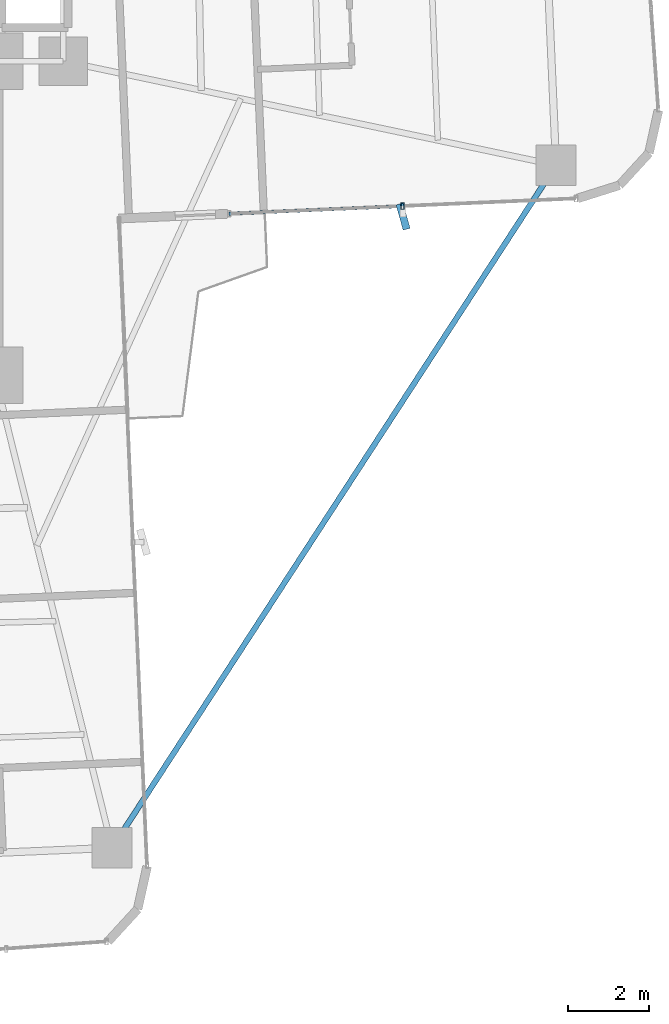
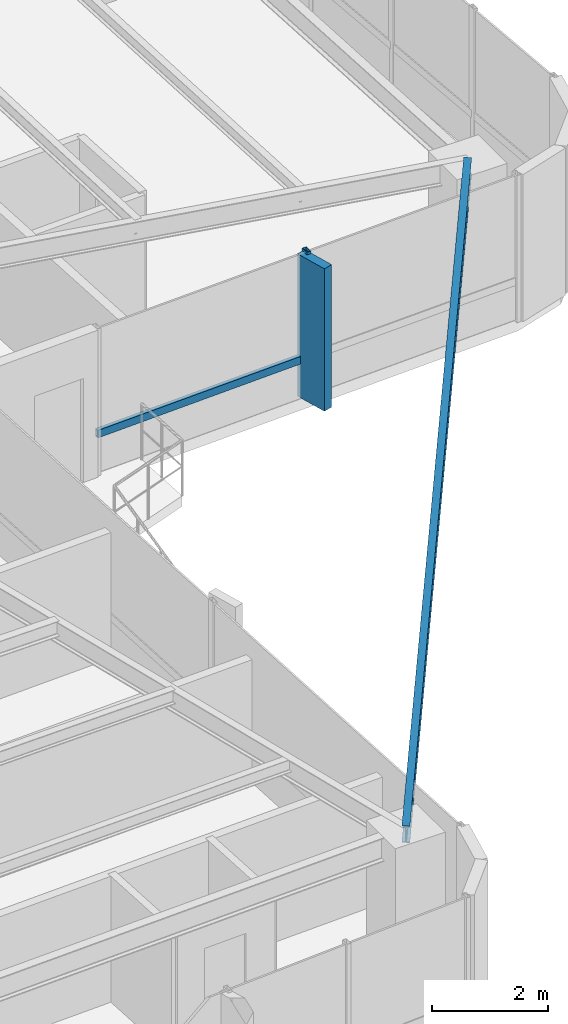
# One storey, part 14 of 26: 3 members, 1 beam, 1 element without a shape of its own.
"""IFC4 building model written with IfcOpenShell, lengths in metres."""

from ifc_helpers import new_model, si_unit, direction, frame, origin, origin_2d, place, context, subcontext, project, spatial, rectangle, hollow_rectangle, i_section, extrude, source, transform, mapped, material, material_profile, profile_set, type_object, element, aggregate, save


model = new_model("IFC4")

# Units and contexts
model_context = context("Model", 3, precision=1e-05, world=origin(), true_north=direction((0.0, 1.0)))
body_context = subcontext(model_context, "Body", "Model", "MODEL_VIEW")
ifc_project = project(units=[si_unit("LENGTHUNIT", "METRE"), si_unit("AREAUNIT", "SQUARE_METRE"), si_unit("VOLUMEUNIT", "CUBIC_METRE"), si_unit("PLANEANGLEUNIT", "RADIAN"), si_unit("MASSUNIT", "GRAM", prefix="KILO")], contexts=[model_context])

# Site, building, storey
site_placement = place(None, origin())
site = spatial("IfcSite", under=ifc_project, at=site_placement, CompositionType="ELEMENT")
building_placement = place(site_placement, origin())
building = spatial("IfcBuilding", under=site, at=building_placement, Name="Sahyath Konkavel Grand Hotel", CompositionType="ELEMENT")
storey_placement = place(building_placement, frame((0.0, 0.0, 86.85009765625)))
storey = spatial("IfcBuildingStorey", under=building, at=storey_placement, Name="L23", CompositionType="ELEMENT", Elevation=86.85009765625)

# Beam
ifc_material_1 = material(Name="Steel E350", Category="steel")
ifc_material_profile_1 = material_profile(ifc_material_1, i_section(OverallWidth=0.139892578125, OverallDepth=0.35009765625, WebThickness=0.008056640625, FlangeThickness=0.01416015625, FilletRadius=0.013916015625, at=origin_2d()), Name="ISMB 350")
ifc_profile_set_1 = profile_set([ifc_material_profile_1], Name="Steel E350")
beam_type = type_object("IfcBeamType", Name="BM-ISMB350", PredefinedType="BEAM", material=ifc_profile_set_1)
shared_shape_1 = source(origin(), body_context, "Body", "SweptSolid", [
    extrude(i_section(OverallWidth=0.139892578125, OverallDepth=0.35009765625, WebThickness=0.008056640625, FlangeThickness=0.01416015625, FilletRadius=0.013916015625, at=origin_2d()), origin(), (0.0, 0.0, 1.0), 20.21533203125),
])
beam_placement = place(storey_placement, frame((17.734130859375, -4.981201171875, 2.934814453125), z_axis=(-0.545191244931, -0.838311700056, 0.0), x_axis=(0.838311700056, -0.545191244931, 0.0)))
element("IfcBeam", 1, at=beam_placement, inside=storey, type_object=beam_type, Name="L23 Re-Entrant Tie Beam SE", PredefinedType="BEAM", context=body_context, shape_type="MappedRepresentation", body=[
    mapped(shared_shape_1, transform((0.0, 0.0, 0.0), scale=1.0)),
])

# Curtain wall, members
ifc_material_2 = material(Name="Anodised Bronze Aluminium & Low-E Glazing", Category="aluminium")
curtain_wall_type = type_object("IfcCurtainWallType", Name="CW-ZONE2", PredefinedType="NOTDEFINED", material=ifc_material_2)
curtain_wall_placement = place(storey_placement, origin())
curtain_wall = element("IfcCurtainWall", 2, at=curtain_wall_placement, inside=storey, type_object=curtain_wall_type, Name="L23 Unitised Curtain Wall F0", PredefinedType="NOTDEFINED")
ifc_material_3 = material(Name="Anodised Bronze Aluminium", Category="aluminium")
ifc_material_profile_2 = material_profile(ifc_material_3, hollow_rectangle(XDim=0.080078125, YDim=0.159912109375, WallThickness=0.006103515625, at=origin_2d()), Name="RHS 160x80x6")
ifc_profile_set_2 = profile_set([ifc_material_profile_2], Name="Anodised Bronze Aluminium")
member_type_1 = type_object("IfcMemberType", Name="CW-MUL-160", PredefinedType="MULLION", material=ifc_profile_set_2)
shared_shape_2 = source(origin(), body_context, "Body", "SweptSolid", [
    extrude(hollow_rectangle(XDim=0.080078125, YDim=0.159912109375, WallThickness=0.006103515625, at=origin_2d()), origin(), (0.0, 0.0, 1.0), 3.10986328125),
])
member_1_placement = place(storey_placement, frame((13.9248046875, -5.998291015625, 0.0), z_axis=(0.0, 0.0, 1.0), x_axis=(1.0, 0.0, 0.0)))
member_1 = element("IfcMember", 3, at=member_1_placement, type_object=member_type_1, Name="L23 Curtain Wall Mullion F0-1", PredefinedType="MULLION", context=body_context, shape_type="MappedRepresentation", body=[
    mapped(shared_shape_2, transform((0.0, 0.0, 0.0), scale=1.0)),
])
ifc_material_4 = material(Name="Warm Buff Sandstone Cladding on Concrete C50/60", Category="masonry")
ifc_material_profile_3 = material_profile(ifc_material_4, rectangle(XDim=0.179931640625, YDim=0.64990234375, at=origin_2d()), Name="FIN 180x650")
ifc_profile_set_3 = profile_set([ifc_material_profile_3], Name="Warm Buff Sandstone Cladding on Concrete C50/60")
member_type_2 = type_object("IfcMemberType", Name="FIN-SANDSTONE-650", PredefinedType="MULLION", material=ifc_profile_set_3)
shared_shape_3 = source(origin(), body_context, "Body", "SweptSolid", [
    extrude(rectangle(XDim=0.179931640625, YDim=0.64990234375, at=origin_2d()), origin(), (0.0, 0.0, 1.0), 3.010009765625),
])
member_2_placement = place(storey_placement, frame((13.936279296875, -6.258056640625, 0.0498046875), z_axis=(0.0, 0.0, 1.0), x_axis=(0.962360427228, 0.271776393577, 0.0)))
member_2 = element("IfcMember", 4, at=member_2_placement, type_object=member_type_2, Name="L23 Sandstone Vertical Solar Fin FIN F0-1", PredefinedType="MULLION", context=body_context, shape_type="MappedRepresentation", body=[
    mapped(shared_shape_3, transform((0.0, 0.0, 0.0), scale=1.0)),
])
ifc_material_profile_4 = material_profile(ifc_material_3, hollow_rectangle(XDim=0.080078125, YDim=0.159912109375, WallThickness=0.006103515625, at=origin_2d()), Name="RHS 160x80x6")
ifc_profile_set_4 = profile_set([ifc_material_profile_4], Name="Anodised Bronze Aluminium")
member_type_3 = type_object("IfcMemberType", Name="CW-TRN-160", PredefinedType="USERDEFINED", material=ifc_profile_set_4)
shared_shape_4 = source(origin(), body_context, "Body", "SweptSolid", [
    extrude(hollow_rectangle(XDim=0.080078125, YDim=0.159912109375, WallThickness=0.006103515625, at=origin_2d()), origin(), (0.0, 0.0, 1.0), 4.31005859375),
])
member_3_placement = place(storey_placement, frame((9.618896484375, -6.186279296875, 0.849853515625), z_axis=(0.999048340188, 0.043616670746, 0.0), x_axis=(-0.043616670746, 0.999048340188, 0.0)))
member_3 = element("IfcMember", 5, at=member_3_placement, type_object=member_type_3, Name="L23 Curtain Wall Transom F0-0-spandrel", ObjectType="TRANSOM", PredefinedType="USERDEFINED", context=body_context, shape_type="MappedRepresentation", body=[
    mapped(shared_shape_4, transform((0.0, 0.0, 0.0), scale=1.0)),
])
aggregate(curtain_wall, [member_1, member_2, member_3])

save(model, "model.ifc")
